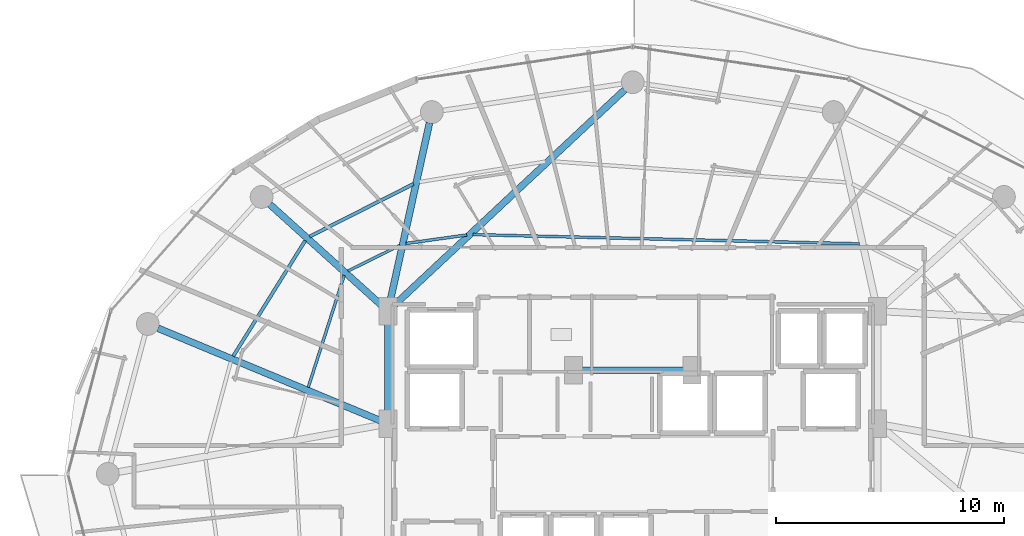
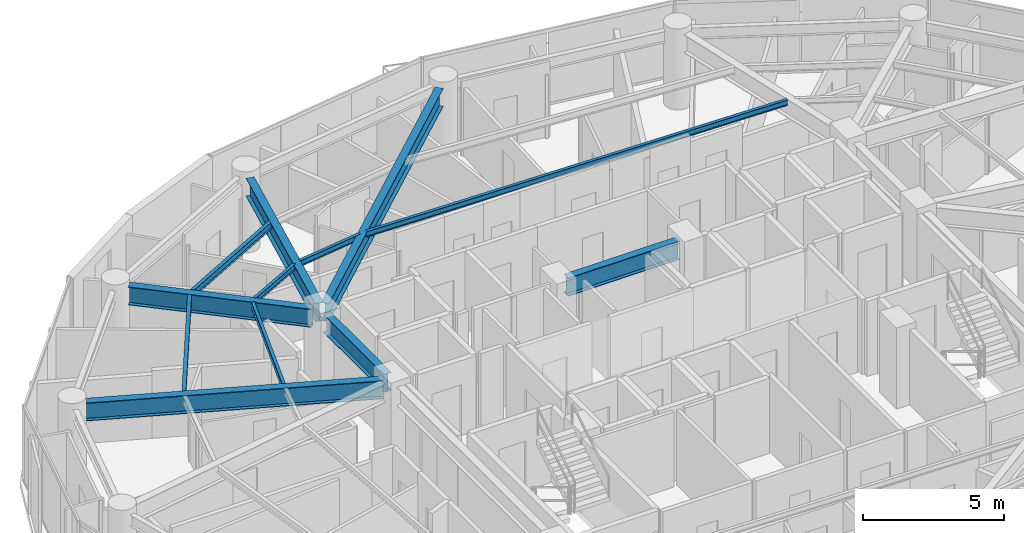
# One storey, part 9 of 28: 12 beams.
"""IFC4 building model written with IfcOpenShell, lengths in metres."""

from ifc_helpers import new_model, si_unit, direction, frame, origin, origin_2d, place, context, subcontext, project, spatial, i_section, extrude, material, material_profile, profile_set, type_object, element, save


model = new_model("IFC4")

# Units and contexts
model_context = context("Model", 3, precision=1e-05, world=origin(), true_north=direction((0.0, 1.0)))
body_context = subcontext(model_context, "Body", "Model", "MODEL_VIEW")
ifc_project = project(units=[si_unit("LENGTHUNIT", "METRE"), si_unit("AREAUNIT", "SQUARE_METRE"), si_unit("VOLUMEUNIT", "CUBIC_METRE"), si_unit("PLANEANGLEUNIT", "RADIAN"), si_unit("MASSUNIT", "GRAM", prefix="KILO")], contexts=[model_context])

# Site, building, storey
site_placement = place(None, origin())
site = spatial("IfcSite", under=ifc_project, at=site_placement, CompositionType="ELEMENT")
building_placement = place(site_placement, origin())
building = spatial("IfcBuilding", under=site, at=building_placement, Name="Vorneva Point Tower", CompositionType="ELEMENT")
storey_placement = place(building_placement, frame((0.0, 0.0, 143.10009765625)))
storey = spatial("IfcBuildingStorey", under=building, at=storey_placement, Name="L38", CompositionType="ELEMENT", Elevation=143.10009765625)

# Beams
ifc_material = material(Name="Steel S355", Category="steel")
ifc_material_profile_1 = material_profile(ifc_material, i_section(OverallWidth=0.300048828125, OverallDepth=0.7880859375, WebThickness=0.014404296875, FlangeThickness=0.02197265625, at=origin_2d()), Name="80Sh1")
ifc_profile_set_1 = profile_set([ifc_material_profile_1], Name="Steel S355")
beam_type_1 = type_object("IfcBeamType", Name="BM-GRD-80Sh1", PredefinedType="USERDEFINED", material=ifc_profile_set_1)
beam_1_placement = place(storey_placement, frame((37.6435546875, 42.86669921875, 2.845947265625), z_axis=(-0.730490907119, -0.682922422107, 0.0), x_axis=(0.682922422107, -0.730490907119, 0.0)))
element("IfcBeam", 1, at=beam_1_placement, inside=storey, type_object=beam_type_1, Name="L38 Radial Primary Girder 05", ObjectType="GIRDER", PredefinedType="USERDEFINED", context=body_context, shape_type="SweptSolid", body=[
    extrude(i_section(OverallWidth=0.300048828125, OverallDepth=0.7880859375, WebThickness=0.014404296875, FlangeThickness=0.02197265625, at=origin_2d()), origin(), (0.0, 0.0, 1.0), 13.88818359375),
])
beam_2_placement = place(storey_placement, frame((29.073974609375, 41.414306640625, 2.845947265625), z_axis=(-0.215520500859, -0.976499315775, 0.0), x_axis=(0.976499315775, -0.215520500859, 0.0)))
element("IfcBeam", 2, at=beam_2_placement, inside=storey, type_object=beam_type_1, Name="L38 Radial Primary Girder 06", ObjectType="GIRDER", PredefinedType="USERDEFINED", context=body_context, shape_type="SweptSolid", body=[
    extrude(i_section(OverallWidth=0.300048828125, OverallDepth=0.7880859375, WebThickness=0.014404296875, FlangeThickness=0.02197265625, at=origin_2d()), origin(), (0.0, 0.0, 1.0), 8.123291015625),
])
beam_3_placement = place(storey_placement, frame((22.063232421875, 37.835205078125, 2.845947265625), z_axis=(0.742084379637, -0.670306477292, 0.0), x_axis=(0.670306477292, 0.742084379637, 0.0)))
element("IfcBeam", 3, at=beam_3_placement, inside=storey, type_object=beam_type_1, Name="L38 Radial Primary Girder 07", ObjectType="GIRDER", PredefinedType="USERDEFINED", context=body_context, shape_type="SweptSolid", body=[
    extrude(i_section(OverallWidth=0.300048828125, OverallDepth=0.7880859375, WebThickness=0.014404296875, FlangeThickness=0.02197265625, at=origin_2d()), origin(), (0.0, 0.0, 1.0), 6.649658203125),
])
beam_4_placement = place(storey_placement, frame((17.1552734375, 32.39501953125, 2.845947265625), z_axis=(0.923440676596, -0.383741210723, 0.0), x_axis=(0.383741210723, 0.923440676596, 0.0)))
element("IfcBeam", 4, at=beam_4_placement, inside=storey, type_object=beam_type_1, Name="L38 Radial Primary Girder 08", ObjectType="GIRDER", PredefinedType="USERDEFINED", context=body_context, shape_type="SweptSolid", body=[
    extrude(i_section(OverallWidth=0.300048828125, OverallDepth=0.7880859375, WebThickness=0.014404296875, FlangeThickness=0.02197265625, at=origin_2d()), origin(), (0.0, 0.0, 1.0), 10.591552734375),
])
beam_5_placement = place(storey_placement, frame((27.25, 28.52001953125, 2.845947265625), z_axis=(0.0, 1.0, 0.0), x_axis=(-1.0, 0.0, 0.0)))
element("IfcBeam", 5, at=beam_5_placement, inside=storey, type_object=beam_type_1, Name="L38 Core Tie Girder CT2", ObjectType="GIRDER", PredefinedType="USERDEFINED", context=body_context, shape_type="SweptSolid", body=[
    extrude(i_section(OverallWidth=0.300048828125, OverallDepth=0.7880859375, WebThickness=0.014404296875, FlangeThickness=0.02197265625, at=origin_2d()), origin(), (0.0, 0.0, 1.0), 4.31005859375),
])
beam_6_placement = place(storey_placement, frame((35.719970703125, 30.550048828125, 2.845947265625), z_axis=(1.0, 0.0, 0.0), x_axis=(0.0, 1.0, 0.0)))
element("IfcBeam", 6, at=beam_6_placement, inside=storey, type_object=beam_type_1, Name="L38 Core Tie Girder CT8", ObjectType="GIRDER", PredefinedType="USERDEFINED", context=body_context, shape_type="SweptSolid", body=[
    extrude(i_section(OverallWidth=0.300048828125, OverallDepth=0.7880859375, WebThickness=0.014404296875, FlangeThickness=0.02197265625, at=origin_2d()), origin(), (0.0, 0.0, 1.0), 4.56005859375),
])
ifc_material_profile_2 = material_profile(ifc_material, i_section(OverallWidth=0.1240234375, OverallDepth=0.248046875, WebThickness=0.0048828125, FlangeThickness=0.008056640625, at=origin_2d()), Name="25B1")
ifc_profile_set_2 = profile_set([ifc_material_profile_2], Name="Steel S355")
beam_type_2 = type_object("IfcBeamType", Name="BM-JST-25B1", PredefinedType="JOIST", material=ifc_profile_set_2)
beam_7_placement = place(storey_placement, frame((47.9609375, 36.102783203125, 3.115966796875), z_axis=(-0.99971415121, 0.023908489487, 0.0), x_axis=(-0.023908489487, -0.99971415121, 0.0)))
element("IfcBeam", 7, at=beam_7_placement, inside=storey, type_object=beam_type_2, Name="L38 Secondary Floor Beam 2.04", PredefinedType="JOIST", context=body_context, shape_type="SweptSolid", body=[
    extrude(i_section(OverallWidth=0.1240234375, OverallDepth=0.248046875, WebThickness=0.0048828125, FlangeThickness=0.008056640625, at=origin_2d()), origin(), (0.0, 0.0, 1.0), 16.981689453125),
])
beam_8_placement = place(storey_placement, frame((30.709716796875, 36.492919921875, 3.115966796875), z_axis=(-0.990345473583, -0.138621221154, 0.0), x_axis=(0.138621221154, -0.990345473583, 0.0)))
element("IfcBeam", 8, at=beam_8_placement, inside=storey, type_object=beam_type_2, Name="L38 Secondary Floor Beam 2.05", PredefinedType="JOIST", context=body_context, shape_type="SweptSolid", body=[
    extrude(i_section(OverallWidth=0.1240234375, OverallDepth=0.248046875, WebThickness=0.0048828125, FlangeThickness=0.008056640625, at=origin_2d()), origin(), (0.0, 0.0, 1.0), 2.6982421875),
])
beam_9_placement = place(storey_placement, frame((27.77734375, 36.03857421875, 3.115966796875), z_axis=(-0.896525372152, -0.442992389425, 0.0), x_axis=(0.442992389425, -0.896525372152, 0.0)))
element("IfcBeam", 9, at=beam_9_placement, inside=storey, type_object=beam_type_2, Name="L38 Secondary Floor Beam 2.06", PredefinedType="JOIST", context=body_context, shape_type="SweptSolid", body=[
    extrude(i_section(OverallWidth=0.1240234375, OverallDepth=0.248046875, WebThickness=0.0048828125, FlangeThickness=0.008056640625, at=origin_2d()), origin(), (0.0, 0.0, 1.0), 2.5478515625),
])
beam_10_placement = place(storey_placement, frame((25.3271484375, 34.71728515625, 3.115966796875), z_axis=(-0.305506866133, -0.952189873263, 0.0), x_axis=(0.952189873263, -0.305506866133, 0.0)))
element("IfcBeam", 10, at=beam_10_placement, inside=storey, type_object=beam_type_2, Name="L38 Secondary Floor Beam 2.07", PredefinedType="JOIST", context=body_context, shape_type="SweptSolid", body=[
    extrude(i_section(OverallWidth=0.1240234375, OverallDepth=0.248046875, WebThickness=0.0048828125, FlangeThickness=0.008056640625, at=origin_2d()), origin(), (0.0, 0.0, 1.0), 5.160888671875),
])
ifc_material_profile_3 = material_profile(ifc_material, i_section(OverallWidth=0.14892578125, OverallDepth=0.298095703125, WebThickness=0.005615234375, FlangeThickness=0.008056640625, at=origin_2d()), Name="30B1")
ifc_profile_set_3 = profile_set([ifc_material_profile_3], Name="Steel S355")
beam_type_3 = type_object("IfcBeamType", Name="BM-JST-30B1", PredefinedType="JOIST", material=ifc_profile_set_3)
beam_11_placement = place(storey_placement, frame((28.373046875, 38.734130859375, 3.0908203125), z_axis=(-0.892189333363, -0.451661591717, 0.0), x_axis=(0.451661591717, -0.892189333363, 0.0)))
element("IfcBeam", 11, at=beam_11_placement, inside=storey, type_object=beam_type_3, Name="L38 Secondary Floor Beam 1.06", PredefinedType="JOIST", context=body_context, shape_type="SweptSolid", body=[
    extrude(i_section(OverallWidth=0.14892578125, OverallDepth=0.298095703125, WebThickness=0.005615234375, FlangeThickness=0.008056640625, at=origin_2d()), origin(), (0.0, 0.0, 1.0), 5.109130859375),
])
beam_12_placement = place(storey_placement, frame((23.61865234375, 36.2470703125, 3.0908203125), z_axis=(-0.52882428102, -0.848731335467, 0.0), x_axis=(0.848731335467, -0.52882428102, 0.0)))
element("IfcBeam", 12, at=beam_12_placement, inside=storey, type_object=beam_type_3, Name="L38 Secondary Floor Beam 1.07", PredefinedType="JOIST", context=body_context, shape_type="SweptSolid", body=[
    extrude(i_section(OverallWidth=0.14892578125, OverallDepth=0.298095703125, WebThickness=0.005615234375, FlangeThickness=0.008056640625, at=origin_2d()), origin(), (0.0, 0.0, 1.0), 5.98095703125),
])

save(model, "model.ifc")
